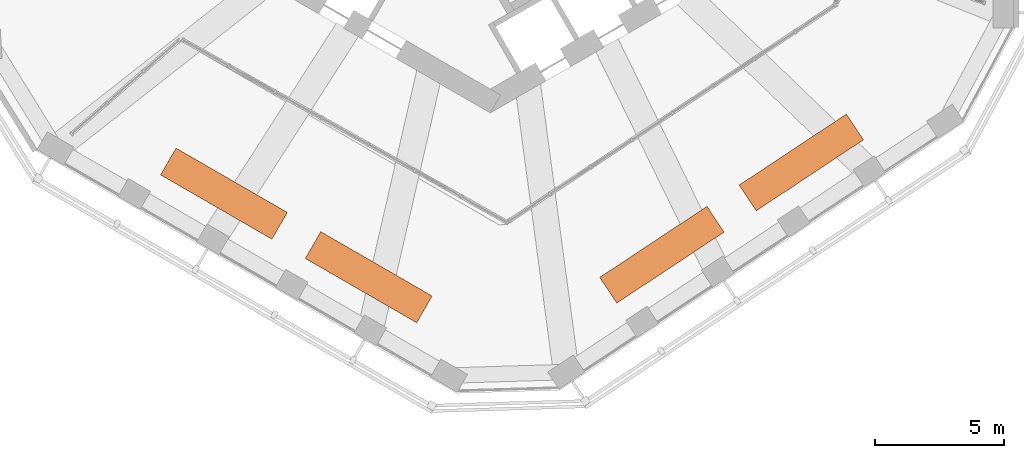
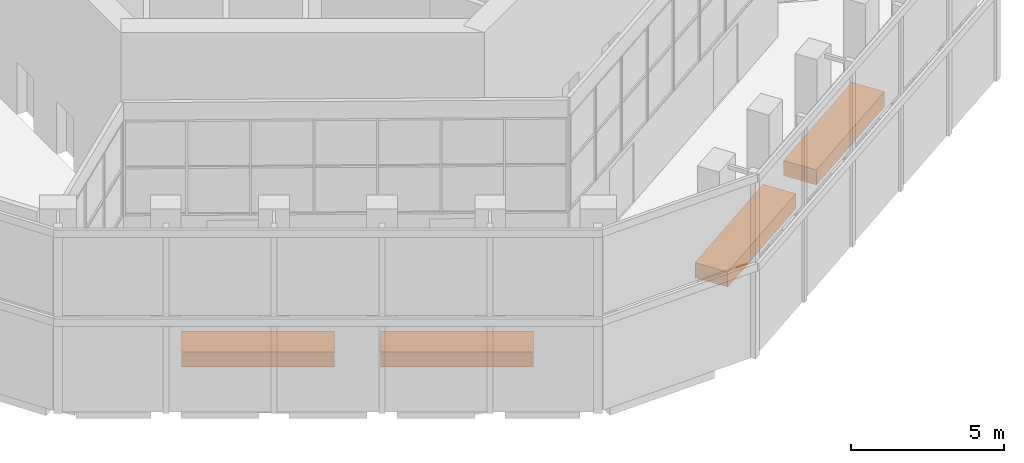
# One storey, part 17 of 17: 4 proxies.
"""IFC4 building model written with IfcOpenShell, lengths in metres."""

from ifc_helpers import new_model, si_unit, direction, frame, origin, origin_2d, place, context, subcontext, project, spatial, rectangle, extrude, material, type_object, element, save


model = new_model("IFC4")

# Units and contexts
model_context = context("Model", 3, precision=1e-05, world=origin(), true_north=direction((0.0, 1.0)))
body_context = subcontext(model_context, "Body", "Model", "MODEL_VIEW")
ifc_project = project(units=[si_unit("LENGTHUNIT", "METRE"), si_unit("AREAUNIT", "SQUARE_METRE"), si_unit("VOLUMEUNIT", "CUBIC_METRE"), si_unit("PLANEANGLEUNIT", "RADIAN"), si_unit("MASSUNIT", "GRAM", prefix="KILO")], contexts=[model_context])

# Site, building, storey
site_placement = place(None, origin())
site = spatial("IfcSite", under=ifc_project, at=site_placement, CompositionType="ELEMENT")
building_placement = place(site_placement, origin())
building = spatial("IfcBuilding", under=site, at=building_placement, Name="Vanh Sen Convention Tower", CompositionType="ELEMENT")
storey_placement = place(building_placement, frame((0.0, 0.0, 214.300048828125)))
storey = spatial("IfcBuildingStorey", under=building, at=storey_placement, Name="L53", CompositionType="ELEMENT", Elevation=214.300048828125)

# Proxies
ifc_material = material(Name="Planting bed (soil and planting)")
building_element_proxy_type = type_object("IfcBuildingElementProxyType", Name="Planting bed", PredefinedType="USERDEFINED", material=ifc_material)
for number, where, z_axis, x_axis, name in (
    (1, (-10.35888671875, -15.034912109375, 0.0), (0.0, 0.0, 1.0), (0.866024531118, -0.500001511499, 0.0), "Sky garden PLANTER P01 L53"),
    (2, (-4.729736328125, -18.284912109375, 0.0), (0.0, 0.0, 1.0), (0.866024531118, -0.500001511499, 0.0), "Sky garden PLANTER P02 L53"),
    (3, (6.672119140625, -17.409423828125, 0.0), (0.0, 0.0, 1.0), (0.833886785378, 0.551935529906, 0.0), "Sky garden PLANTER P03 L53"),
    (4, (12.09228515625, -13.822021484375, 0.0), (0.0, 0.0, 1.0), (0.833886785378, 0.551935529906, 0.0), "Sky garden PLANTER P04 L53"),
):
    element("IfcBuildingElementProxy", number, at=place(storey_placement, frame(where, z_axis=z_axis, x_axis=x_axis)), inside=storey, type_object=building_element_proxy_type, Name=name, ObjectType="PLANTER", PredefinedType="USERDEFINED", context=body_context, shape_type="SweptSolid", body=[
        extrude(rectangle(XDim=5.0, YDim=1.199951171875, at=origin_2d()), origin(), (0.0, 0.0, 1.0), 0.60009765625),
    ])

save(model, "model.ifc")
